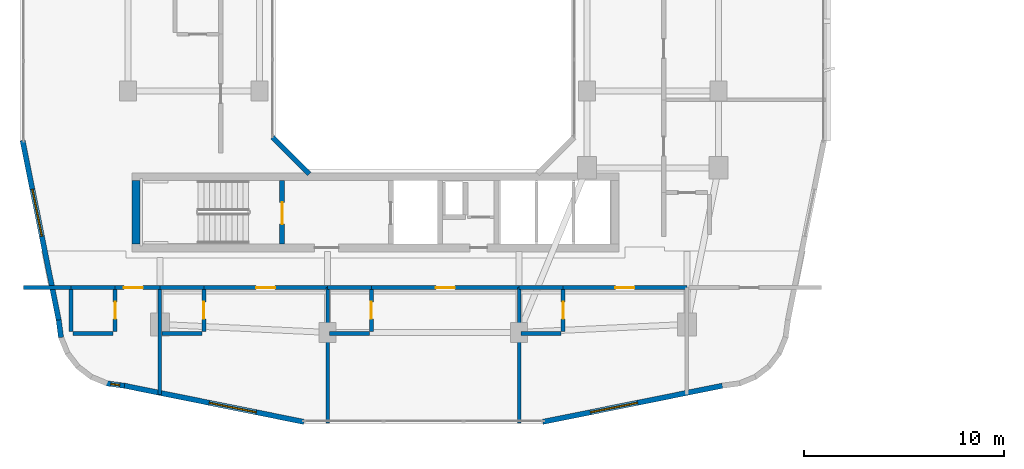
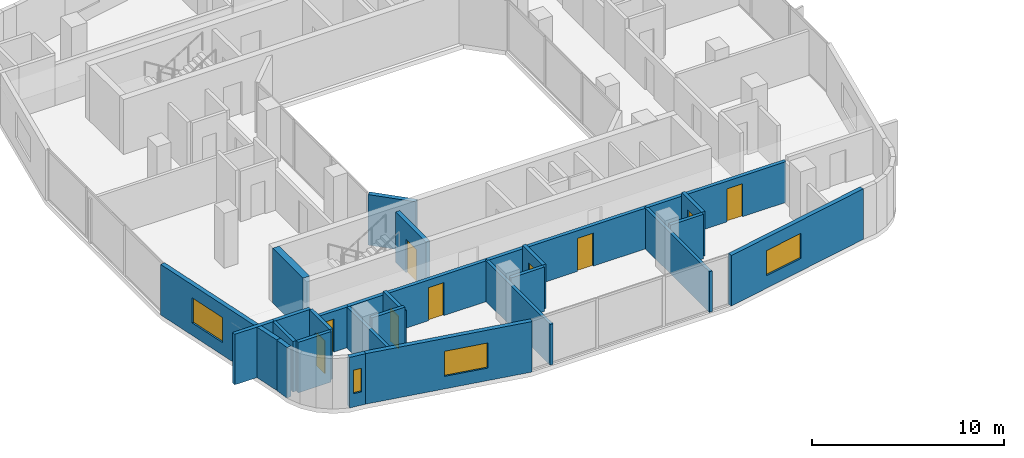
# One storey, part 12 of 26: 29 walls, 9 doors, 4 windows, 13 openings.
"""IFC4 building model written with IfcOpenShell, lengths in metres."""

from ifc_helpers import new_model, si_unit, derived_unit, direction, frame, frame_2d, origin, place, context, subcontext, project, spatial, rectangle, extrude, material, layer, layer_set, type_object, element, fill, save


model = new_model("IFC4")

# Units and contexts
model_context = context("Model", 3, precision=1e-05, world=origin(), true_north=direction((0.0, 1.0)))
body_context = subcontext(model_context, "Body", "Model", "MODEL_VIEW")
ifc_project = project(units=[si_unit("LENGTHUNIT", "METRE"), si_unit("AREAUNIT", "SQUARE_METRE"), si_unit("VOLUMEUNIT", "CUBIC_METRE"), si_unit("PLANEANGLEUNIT", "RADIAN"), si_unit("MASSUNIT", "GRAM", prefix="KILO"), derived_unit("THERMALTRANSMITTANCEUNIT", [(si_unit("POWERUNIT", "WATT"), 1), (si_unit("LENGTHUNIT", "METRE"), -2), (si_unit("THERMODYNAMICTEMPERATUREUNIT", "KELVIN"), -1)])], contexts=[model_context])

# Site, building, storey
site_placement = place(None, origin())
site = spatial("IfcSite", under=ifc_project, at=site_placement, CompositionType="ELEMENT")
building_placement = place(site_placement, origin())
building = spatial("IfcBuilding", under=site, at=building_placement, Name="Kivonza Crest Hotel", CompositionType="ELEMENT")
storey_placement = place(building_placement, frame((0.0, 0.0, 98.5)))
storey = spatial("IfcBuildingStorey", under=building, at=storey_placement, Name="L26", CompositionType="ELEMENT", Elevation=98.5)

# Walls
ifc_material_1 = material(Name="High-density acoustic masonry inter-tenancy wall", Category="masonry")
ifc_layer_1 = layer(ifc_material_1, 0.179931640625)
ifc_layer_set_1 = layer_set([ifc_layer_1], Name="High-density acoustic masonry inter-tenancy wall")
wall_type_1 = type_object("IfcWallType", Name="WL-ACOU-180", PredefinedType="SOLIDWALL", material=ifc_layer_set_1)
wall_1_placement = place(storey_placement, frame((7.800048828125, 6.299072265625, 0.0), z_axis=(0.0, 0.0, 1.0), x_axis=(0.0, 1.0, 0.0)))
element("IfcWall", 1, at=wall_1_placement, inside=storey, type_object=wall_type_1, Name="L26 interior partition WA-L26-T1S-DIV1", PredefinedType="SOLIDWALL", context=body_context, shape_type="SweptSolid", body=[
    extrude(rectangle(XDim=5.350830078125, YDim=0.179931640625, at=frame_2d((2.67529296875, 0.0))), origin(), (0.0, 0.0, 1.0), 2.594970703125),
])
for number, where, z_axis, x_axis, name in (
    (2, (16.199951171875, 4.860107421875, 0.0), (0.0, 0.0, 1.0), (0.0, 1.0, 0.0), "L26 interior partition WA-L26-T1S-DIV2"),
    (3, (25.800048828125, 4.860107421875, 0.0), (0.0, 0.0, 1.0), (0.0, 1.0, 0.0), "L26 interior partition WA-L26-T1S-DIV3"),
):
    element("IfcWall", number, at=place(storey_placement, frame(where, z_axis=z_axis, x_axis=x_axis)), inside=storey, type_object=wall_type_1, Name=name, PredefinedType="SOLIDWALL", context=body_context, shape_type="SweptSolid", body=[
        extrude(rectangle(XDim=6.789794921875, YDim=0.179931640625, at=frame_2d((3.39501953125, 0.0))), origin(), (0.0, 0.0, 1.0), 2.594970703125),
    ])
ifc_material_2 = material(Name="Autoclaved aerated concrete blockwork", Category="masonry")
ifc_layer_2 = layer(ifc_material_2, 0.219970703125)
ifc_layer_set_2 = layer_set([ifc_layer_2], Name="Autoclaved aerated concrete blockwork")
wall_type_2 = type_object("IfcWallType", Name="WL-ACOU-220", PredefinedType="SOLIDWALL", material=ifc_layer_set_2)
wall_2_placement = place(storey_placement, frame((0.9599609375, 11.64990234375, 0.0), z_axis=(0.0, 0.0, 1.0), x_axis=(1.0, 0.0, 0.0)))
element("IfcWall", 4, at=wall_2_placement, inside=storey, type_object=wall_type_2, Name="L26 interior partition WA-L26-S04-XCORR", PredefinedType="SOLIDWALL", context=body_context, shape_type="SweptSolid", body=[
    extrude(rectangle(XDim=2.39013671875, YDim=0.219970703125, at=frame_2d((1.195068359375, 0.0))), origin(), (0.0, 0.0, 1.0), 3.219970703125),
])
wall_3_placement = place(storey_placement, frame((3.35009765625, 11.64990234375, 0.0), z_axis=(0.0, 0.0, 1.0), x_axis=(1.0, 0.0, 0.0)))
element("IfcWall", 5, at=wall_3_placement, inside=storey, type_object=wall_type_2, Name="L26 interior partition WA-L26-S04-BCORR", PredefinedType="SOLIDWALL", context=body_context, shape_type="SweptSolid", body=[
    extrude(rectangle(XDim=2.199951171875, YDim=0.219970703125, at=frame_2d((1.10009765625, 0.0))), origin(), (0.0, 0.0, 1.0), 3.219970703125),
])

# Wall, opening, door
wall_4_placement = place(storey_placement, frame((5.550048828125, 11.64990234375, 0.0), z_axis=(0.0, 0.0, 1.0), x_axis=(1.0, 0.0, 0.0)))
wall_4 = element("IfcWall", 6, at=wall_4_placement, inside=storey, type_object=wall_type_2, Name="L26 interior partition WA-L26-S04-MCORR", PredefinedType="SOLIDWALL", context=body_context, shape_type="SweptSolid", body=[
    extrude(rectangle(XDim=2.25, YDim=0.219970703125, at=frame_2d((1.125, 0.0))), origin(), (0.0, 0.0, 1.0), 2.594970703125),
])
opening_1_placement = place(wall_4_placement, frame((0.43994140625, 0.0, 0.0)))
opening_1 = element("IfcOpeningElement", 7, at=opening_1_placement, cuts=wall_4, Name="Opening DU-60", PredefinedType="OPENING", context=body_context, shape_type="SweptSolid", body=[
    extrude(rectangle(XDim=0.949951171875, YDim=2.10009765625, at=frame_2d((0.47509765625, 1.050048828125))), frame((0.0, 0.1201171875, 0.0), z_axis=(0.0, -1.0, 0.0), x_axis=(1.0, 0.0, 0.0)), (0.0, 0.0, 1.0), 0.239990234375),
])
ifc_material_3 = material(Name="Hardwood timber oak", Category="wood")
door_type_1 = type_object("IfcDoorType", Name="DR-UNIT-950", OperationType="NOTDEFINED", PredefinedType="DOOR", material=ifc_material_3)
door_1_placement = place(opening_1_placement, frame((0.949951171875, 0.0, 0.0), z_axis=(0.0, 0.0, 1.0), x_axis=(-1.0, 0.0, 0.0)))
door_1 = element("IfcDoor", 8, at=door_1_placement, inside=storey, type_object=door_type_1, Name="L26 S04 guest unit entrance fire door", OperationType="SINGLE_SWING_RIGHT", OverallHeight=2.10009765625, OverallWidth=0.949951171875, PredefinedType="DOOR", context=body_context, shape_type="SweptSolid", body=[
    extrude(rectangle(XDim=0.949951171875, YDim=2.10009765625, at=frame_2d((0.47509765625, 1.050048828125))), frame((0.0, 0.02490234375, 0.0), z_axis=(0.0, -1.0, 0.0), x_axis=(1.0, 0.0, 0.0)), (0.0, 0.0, 1.0), 0.050048828125),
])
fill(opening_1, door_1)

# Wall
wall_5_placement = place(storey_placement, frame((7.800048828125, 11.64990234375, 0.0), z_axis=(0.0, 0.0, 1.0), x_axis=(1.0, 0.0, 0.0)))
element("IfcWall", 9, at=wall_5_placement, inside=storey, type_object=wall_type_2, Name="L26 interior partition WA-L26-S05-BCORR", PredefinedType="SOLIDWALL", context=body_context, shape_type="SweptSolid", body=[
    extrude(rectangle(XDim=2.199951171875, YDim=0.219970703125, at=frame_2d((1.10009765625, 0.0))), origin(), (0.0, 0.0, 1.0), 2.594970703125),
])

# Wall, opening, door
wall_6_placement = place(storey_placement, frame((10.0, 11.64990234375, 0.0), z_axis=(0.0, 0.0, 1.0), x_axis=(1.0, 0.0, 0.0)))
wall_6 = element("IfcWall", 10, at=wall_6_placement, inside=storey, type_object=wall_type_2, Name="L26 interior partition WA-L26-S05-MCORR", PredefinedType="SOLIDWALL", context=body_context, shape_type="SweptSolid", body=[
    extrude(rectangle(XDim=6.199951171875, YDim=0.219970703125, at=frame_2d((3.10009765625, 0.0))), origin(), (0.0, 0.0, 1.0), 2.594970703125),
])
opening_2_placement = place(wall_6_placement, frame((2.625, 0.0, 0.0)))
opening_2 = element("IfcOpeningElement", 11, at=opening_2_placement, cuts=wall_6, Name="Opening DU-60", PredefinedType="OPENING", context=body_context, shape_type="SweptSolid", body=[
    extrude(rectangle(XDim=0.949951171875, YDim=2.10009765625, at=frame_2d((0.47509765625, 1.050048828125))), frame((0.0, 0.1201171875, 0.0), z_axis=(0.0, -1.0, 0.0), x_axis=(1.0, 0.0, 0.0)), (0.0, 0.0, 1.0), 0.239990234375),
])
door_2_placement = place(opening_2_placement, frame((0.949951171875, 0.0, 0.0), z_axis=(0.0, 0.0, 1.0), x_axis=(-1.0, 0.0, 0.0)))
door_2 = element("IfcDoor", 12, at=door_2_placement, inside=storey, type_object=door_type_1, Name="L26 S05 guest unit entrance fire door", OperationType="SINGLE_SWING_LEFT", OverallHeight=2.10009765625, OverallWidth=0.949951171875, PredefinedType="DOOR", context=body_context, shape_type="SweptSolid", body=[
    extrude(rectangle(XDim=0.949951171875, YDim=2.10009765625, at=frame_2d((0.47509765625, 1.050048828125))), frame((0.0, 0.02490234375, 0.0), z_axis=(0.0, -1.0, 0.0), x_axis=(1.0, 0.0, 0.0)), (0.0, 0.0, 1.0), 0.050048828125),
])
fill(opening_2, door_2)

# Wall
wall_7_placement = place(storey_placement, frame((16.199951171875, 11.64990234375, 0.0), z_axis=(0.0, 0.0, 1.0), x_axis=(1.0, 0.0, 0.0)))
element("IfcWall", 13, at=wall_7_placement, inside=storey, type_object=wall_type_2, Name="L26 interior partition WA-L26-S06-BCORR", PredefinedType="SOLIDWALL", context=body_context, shape_type="SweptSolid", body=[
    extrude(rectangle(XDim=2.199951171875, YDim=0.219970703125, at=frame_2d((1.10009765625, 0.0))), origin(), (0.0, 0.0, 1.0), 2.594970703125),
])

# Wall, opening, door
wall_8_placement = place(storey_placement, frame((18.39990234375, 11.64990234375, 0.0), z_axis=(0.0, 0.0, 1.0), x_axis=(1.0, 0.0, 0.0)))
wall_8 = element("IfcWall", 14, at=wall_8_placement, inside=storey, type_object=wall_type_2, Name="L26 interior partition WA-L26-S06-MCORR", PredefinedType="SOLIDWALL", context=body_context, shape_type="SweptSolid", body=[
    extrude(rectangle(XDim=7.400146484375, YDim=0.219970703125, at=frame_2d((3.7001953125, 0.0))), origin(), (0.0, 0.0, 1.0), 2.594970703125),
])
opening_3_placement = place(wall_8_placement, frame((3.22509765625, 0.0, 0.0)))
opening_3 = element("IfcOpeningElement", 15, at=opening_3_placement, cuts=wall_8, Name="Opening DU-60", PredefinedType="OPENING", context=body_context, shape_type="SweptSolid", body=[
    extrude(rectangle(XDim=0.949951171875, YDim=2.10009765625, at=frame_2d((0.47509765625, 1.050048828125))), frame((0.0, 0.1201171875, 0.0), z_axis=(0.0, -1.0, 0.0), x_axis=(1.0, 0.0, 0.0)), (0.0, 0.0, 1.0), 0.239990234375),
])
door_3_placement = place(opening_3_placement, frame((0.949951171875, 0.0, 0.0), z_axis=(0.0, 0.0, 1.0), x_axis=(-1.0, 0.0, 0.0)))
door_3 = element("IfcDoor", 16, at=door_3_placement, inside=storey, type_object=door_type_1, Name="L26 S06 guest unit entrance fire door", OperationType="SINGLE_SWING_RIGHT", OverallHeight=2.10009765625, OverallWidth=0.949951171875, PredefinedType="DOOR", context=body_context, shape_type="SweptSolid", body=[
    extrude(rectangle(XDim=0.949951171875, YDim=2.10009765625, at=frame_2d((0.47509765625, 1.050048828125))), frame((0.0, 0.02490234375, 0.0), z_axis=(0.0, -1.0, 0.0), x_axis=(1.0, 0.0, 0.0)), (0.0, 0.0, 1.0), 0.050048828125),
])
fill(opening_3, door_3)

# Wall
wall_9_placement = place(storey_placement, frame((25.800048828125, 11.64990234375, 0.0), z_axis=(0.0, 0.0, 1.0), x_axis=(1.0, 0.0, 0.0)))
element("IfcWall", 17, at=wall_9_placement, inside=storey, type_object=wall_type_2, Name="L26 interior partition WA-L26-S07-BCORR", PredefinedType="SOLIDWALL", context=body_context, shape_type="SweptSolid", body=[
    extrude(rectangle(XDim=2.199951171875, YDim=0.219970703125, at=frame_2d((1.10009765625, 0.0))), origin(), (0.0, 0.0, 1.0), 2.594970703125),
])

# Wall, opening, door
wall_10_placement = place(storey_placement, frame((28.0, 11.64990234375, 0.0), z_axis=(0.0, 0.0, 1.0), x_axis=(1.0, 0.0, 0.0)))
wall_10 = element("IfcWall", 18, at=wall_10_placement, inside=storey, type_object=wall_type_2, Name="L26 interior partition WA-L26-S07-MCORR", PredefinedType="SOLIDWALL", context=body_context, shape_type="SweptSolid", body=[
    extrude(rectangle(XDim=6.199951171875, YDim=0.219970703125, at=frame_2d((3.10009765625, 0.0))), origin(), (0.0, 0.0, 1.0), 2.594970703125),
])
opening_4_placement = place(wall_10_placement, frame((2.625, 0.0, 0.0)))
opening_4 = element("IfcOpeningElement", 19, at=opening_4_placement, cuts=wall_10, Name="Opening DU-60", PredefinedType="OPENING", context=body_context, shape_type="SweptSolid", body=[
    extrude(rectangle(XDim=0.949951171875, YDim=2.10009765625, at=frame_2d((0.47509765625, 1.050048828125))), frame((0.0, 0.1201171875, 0.0), z_axis=(0.0, -1.0, 0.0), x_axis=(1.0, 0.0, 0.0)), (0.0, 0.0, 1.0), 0.239990234375),
])
door_4_placement = place(opening_4_placement, frame((0.949951171875, 0.0, 0.0), z_axis=(0.0, 0.0, 1.0), x_axis=(-1.0, 0.0, 0.0)))
door_4 = element("IfcDoor", 20, at=door_4_placement, inside=storey, type_object=door_type_1, Name="L26 S07 guest unit entrance fire door", OperationType="SINGLE_SWING_LEFT", OverallHeight=2.10009765625, OverallWidth=0.949951171875, PredefinedType="DOOR", context=body_context, shape_type="SweptSolid", body=[
    extrude(rectangle(XDim=0.949951171875, YDim=2.10009765625, at=frame_2d((0.47509765625, 1.050048828125))), frame((0.0, 0.02490234375, 0.0), z_axis=(0.0, -1.0, 0.0), x_axis=(1.0, 0.0, 0.0)), (0.0, 0.0, 1.0), 0.050048828125),
])
fill(opening_4, door_4)

# Walls
ifc_material_4 = material(Name="Concrete C50/60", Category="concrete")
ifc_layer_3 = layer(ifc_material_4, 0.39990234375)
ifc_layer_set_3 = layer_set([ifc_layer_3], Name="Concrete C50/60")
wall_type_3 = type_object("IfcWallType", Name="WL-CORE-400", PredefinedType="SHEAR", material=ifc_layer_set_3)
wall_11_placement = place(storey_placement, frame((6.60009765625, 13.840087890625, 0.0), z_axis=(0.0, 0.0, 1.0), x_axis=(0.0, 1.0, 0.0)))
element("IfcWall", 21, at=wall_11_placement, inside=storey, type_object=wall_type_3, Name="Core wall T1-S West L26", PredefinedType="SHEAR", context=body_context, shape_type="SweptSolid", body=[
    extrude(rectangle(XDim=3.159912109375, YDim=0.39990234375, at=frame_2d((1.580078125, 0.0))), origin(), (0.0, 0.0, 1.0), 3.5),
])
ifc_material_5 = material(Name="Precast concrete C40/50", Category="concrete")
ifc_layer_4 = layer(ifc_material_5, 0.260009765625)
ifc_layer_set_4 = layer_set([ifc_layer_4], Name="Precast concrete C40/50")
wall_type_4 = type_object("IfcWallType", Name="WL-EXT-260", PredefinedType="STANDARD", material=ifc_layer_set_4)
wall_12_placement = place(storey_placement, frame((2.72802734375, 10.02490234375, 0.0), z_axis=(0.0, 0.0, 1.0), x_axis=(0.130953706898, -0.991388484223, 0.0)))
element("IfcWall", 22, at=wall_12_placement, inside=storey, type_object=wall_type_4, Name="L26 T1 exterior insulated wall 1", PredefinedType="STANDARD", context=body_context, shape_type="SweptSolid", body=[
    extrude(rectangle(XDim=0.885498046875, YDim=0.260009765625, at=frame_2d((0.44287109375, 0.0))), origin(), (0.0, 0.0, 1.0), 3.219970703125),
])

# Wall, opening, window
wall_13_placement = place(storey_placement, frame((5.112060546875, 6.847900390625, 0.0), z_axis=(0.0, 0.0, 1.0), x_axis=(0.991487658083, -0.130200706103, 0.0)))
wall_13 = element("IfcWall", 23, at=wall_13_placement, inside=storey, type_object=wall_type_4, Name="L26 T1 exterior insulated wall 6", PredefinedType="STANDARD", context=body_context, shape_type="SweptSolid", body=[
    extrude(rectangle(XDim=0.920654296875, YDim=0.260009765625, at=frame_2d((0.46044921875, 0.0))), origin(), (0.0, 0.0, 1.0), 3.219970703125),
])
opening_5_placement = place(wall_13_placement, frame((0.235107421875, 0.0, 0.85009765625)))
opening_5 = element("IfcOpeningElement", 24, at=opening_5_placement, cuts=wall_13, Name="Opening WN-11", PredefinedType="OPENING", context=body_context, shape_type="SweptSolid", body=[
    extrude(rectangle(XDim=0.449951171875, YDim=1.5, at=frame_2d((0.22509765625, 0.75))), frame((0.0, 0.14013671875, 0.0), z_axis=(0.0, -1.0, 0.0), x_axis=(1.0, 0.0, 0.0)), (0.0, 0.0, 1.0), 0.280029296875),
])
ifc_material_6 = material(Name="Thermally broken bronze aluminium and low-E double glazing", Category="aluminium")
window_type_1 = type_object("IfcWindowType", Name="WN-045x150", PartitioningType="SINGLE_PANEL", PredefinedType="WINDOW", material=ifc_material_6)
window_1_placement = place(opening_5_placement, origin())
window_1 = element("IfcWindow", 25, at=window_1_placement, inside=storey, type_object=window_type_1, Name="L26 corner vision window 2", OverallHeight=1.5, OverallWidth=0.449951171875, PartitioningType="SINGLE_PANEL", PredefinedType="WINDOW", context=body_context, shape_type="SweptSolid", body=[
    extrude(rectangle(XDim=0.449951171875, YDim=1.5, at=frame_2d((0.22509765625, 0.75))), frame((0.0, 0.030029296875, 0.0), z_axis=(0.0, -1.0, 0.0), x_axis=(1.0, 0.0, 0.0)), (0.0, 0.0, 1.0), 0.06005859375),
])
fill(opening_5, window_1)

wall_14_placement = place(storey_placement, frame((6.01806640625, 6.72900390625, 0.0), z_axis=(0.0, 0.0, 1.0), x_axis=(0.980315963543, -0.197435082048, 0.0)))
wall_14 = element("IfcWall", 26, at=wall_14_placement, inside=storey, type_object=wall_type_4, Name="L26 T1 exterior insulated wall 7", PredefinedType="STANDARD", context=body_context, shape_type="SweptSolid", body=[
    extrude(rectangle(XDim=9.1826171875, YDim=0.260009765625, at=frame_2d((4.59130859375, 0.0))), origin(), (0.0, 0.0, 1.0), 3.219970703125),
])
opening_6_placement = place(wall_14_placement, frame((4.3369140625, 0.0, 0.800048828125)))
opening_6 = element("IfcOpeningElement", 27, at=opening_6_placement, cuts=wall_14, Name="Opening WN-05", PredefinedType="OPENING", context=body_context, shape_type="SweptSolid", body=[
    extrude(rectangle(XDim=2.39990234375, YDim=1.60009765625, at=frame_2d((1.199951171875, 0.800048828125))), frame((0.0, 0.14013671875, 0.0), z_axis=(0.0, -1.0, 0.0), x_axis=(1.0, 0.0, 0.0)), (0.0, 0.0, 1.0), 0.280029296875),
])
window_type_2 = type_object("IfcWindowType", Name="WN-240x160", PartitioningType="TRIPLE_PANEL_VERTICAL", PredefinedType="WINDOW", material=ifc_material_6)
window_2_placement = place(opening_6_placement, origin())
window_2 = element("IfcWindow", 28, at=window_2_placement, inside=storey, type_object=window_type_2, Name="L26 T1 facade window 7", OverallHeight=1.60009765625, OverallWidth=2.39990234375, PartitioningType="SINGLE_PANEL", PredefinedType="WINDOW", context=body_context, shape_type="SweptSolid", body=[
    extrude(rectangle(XDim=2.39990234375, YDim=1.60009765625, at=frame_2d((1.199951171875, 0.800048828125))), frame((0.0, 0.030029296875, 0.0), z_axis=(0.0, -1.0, 0.0), x_axis=(1.0, 0.0, 0.0)), (0.0, 0.0, 1.0), 0.06005859375),
])
fill(opening_6, window_2)

wall_15_placement = place(storey_placement, frame((26.97998046875, 4.916015625, 0.0), z_axis=(0.0, 0.0, 1.0), x_axis=(0.980315963543, 0.197435082048, 0.0)))
wall_15 = element("IfcWall", 29, at=wall_15_placement, inside=storey, type_object=wall_type_4, Name="L26 T1 exterior insulated wall 9", PredefinedType="STANDARD", context=body_context, shape_type="SweptSolid", body=[
    extrude(rectangle(XDim=9.1826171875, YDim=0.260009765625, at=frame_2d((4.59130859375, 0.0))), origin(), (0.0, 0.0, 1.0), 3.219970703125),
])
opening_7_placement = place(wall_15_placement, frame((2.445068359375, 0.0, 0.800048828125)))
opening_7 = element("IfcOpeningElement", 30, at=opening_7_placement, cuts=wall_15, Name="Opening WN-05", PredefinedType="OPENING", context=body_context, shape_type="SweptSolid", body=[
    extrude(rectangle(XDim=2.39990234375, YDim=1.60009765625, at=frame_2d((1.199951171875, 0.800048828125))), frame((0.0, 0.14013671875, 0.0), z_axis=(0.0, -1.0, 0.0), x_axis=(1.0, 0.0, 0.0)), (0.0, 0.0, 1.0), 0.280029296875),
])
window_3_placement = place(opening_7_placement, origin())
window_3 = element("IfcWindow", 31, at=window_3_placement, inside=storey, type_object=window_type_2, Name="L26 T1 facade window 9", OverallHeight=1.60009765625, OverallWidth=2.39990234375, PartitioningType="SINGLE_PANEL", PredefinedType="WINDOW", context=body_context, shape_type="SweptSolid", body=[
    extrude(rectangle(XDim=2.39990234375, YDim=1.60009765625, at=frame_2d((1.199951171875, 0.800048828125))), frame((0.0, 0.030029296875, 0.0), z_axis=(0.0, -1.0, 0.0), x_axis=(1.0, 0.0, 0.0)), (0.0, 0.0, 1.0), 0.06005859375),
])
fill(opening_7, window_3)

wall_16_placement = place(storey_placement, frame((0.916015625, 19.02001953125, 0.0), z_axis=(0.0, 0.0, 1.0), x_axis=(0.197435082048, -0.980315963543, 0.0)))
wall_16 = element("IfcWall", 32, at=wall_16_placement, inside=storey, type_object=wall_type_4, Name="L26 T1 exterior insulated wall 36", PredefinedType="STANDARD", context=body_context, shape_type="SweptSolid", body=[
    extrude(rectangle(XDim=9.1826171875, YDim=0.260009765625, at=frame_2d((4.59130859375, 0.0))), origin(), (0.0, 0.0, 1.0), 3.219970703125),
])
opening_8_placement = place(wall_16_placement, frame((2.4970703125, 0.0, 0.800048828125)))
opening_8 = element("IfcOpeningElement", 33, at=opening_8_placement, cuts=wall_16, Name="Opening WN-05", PredefinedType="OPENING", context=body_context, shape_type="SweptSolid", body=[
    extrude(rectangle(XDim=2.39990234375, YDim=1.60009765625, at=frame_2d((1.199951171875, 0.800048828125))), frame((0.0, 0.14013671875, 0.0), z_axis=(0.0, -1.0, 0.0), x_axis=(1.0, 0.0, 0.0)), (0.0, 0.0, 1.0), 0.280029296875),
])
window_4_placement = place(opening_8_placement, origin())
window_4 = element("IfcWindow", 34, at=window_4_placement, inside=storey, type_object=window_type_2, Name="L26 T1 facade window 36", OverallHeight=1.60009765625, OverallWidth=2.39990234375, PartitioningType="SINGLE_PANEL", PredefinedType="WINDOW", context=body_context, shape_type="SweptSolid", body=[
    extrude(rectangle(XDim=2.39990234375, YDim=1.60009765625, at=frame_2d((1.199951171875, 0.800048828125))), frame((0.0, 0.030029296875, 0.0), z_axis=(0.0, -1.0, 0.0), x_axis=(1.0, 0.0, 0.0)), (0.0, 0.0, 1.0), 0.06005859375),
])
fill(opening_8, window_4)

# Wall
wall_17_placement = place(storey_placement, frame((13.444091796875, 19.172119140625, 0.0), z_axis=(0.0, 0.0, 1.0), x_axis=(0.707059717605, -0.707153841636, 0.0)))
element("IfcWall", 35, at=wall_17_placement, inside=storey, type_object=wall_type_4, Name="L26 T1 light-well exterior wall 8", PredefinedType="STANDARD", context=body_context, shape_type="SweptSolid", body=[
    extrude(rectangle(XDim=2.59375, YDim=0.260009765625, at=frame_2d((1.296875, 0.0))), origin(), (0.0, 0.0, 1.0), 3.219970703125),
])

# Wall, opening, door
ifc_material_7 = material(Name="Moisture-resistant plumbing chase partition wall", Category="gypsum")
ifc_layer_5 = layer(ifc_material_7, 0.199951171875)
ifc_layer_set_5 = layer_set([ifc_layer_5], Name="Moisture-resistant plumbing chase partition wall")
wall_type_5 = type_object("IfcWallType", Name="WL-PLUMB-200", PredefinedType="PLUMBINGWALL", material=ifc_layer_set_5)
wall_18_placement = place(storey_placement, frame((5.550048828125, 9.449951171875, 0.0), z_axis=(0.0, 0.0, 1.0), x_axis=(0.0, 1.0, 0.0)))
wall_18 = element("IfcWall", 36, at=wall_18_placement, inside=storey, type_object=wall_type_5, Name="L26 interior partition WW-L26-S04-BV", PredefinedType="PLUMBINGWALL", context=body_context, shape_type="SweptSolid", body=[
    extrude(rectangle(XDim=2.10009765625, YDim=0.199951171875, at=frame_2d((1.050048828125, 0.0))), origin(), (0.0, 0.0, 1.0), 3.219970703125),
])
opening_9_placement = place(wall_18_placement, frame((0.625, 0.0, 0.0)))
opening_9 = element("IfcOpeningElement", 37, at=opening_9_placement, cuts=wall_18, Name="Opening DI-85", PredefinedType="OPENING", context=body_context, shape_type="SweptSolid", body=[
    extrude(rectangle(XDim=0.85009765625, YDim=2.10009765625, at=frame_2d((0.425048828125, 1.050048828125))), frame((0.0, 0.10986328125, 0.0), z_axis=(0.0, -1.0, 0.0), x_axis=(1.0, 0.0, 0.0)), (0.0, 0.0, 1.0), 0.219970703125),
])
door_type_2 = type_object("IfcDoorType", Name="DR-INT-850", OperationType="NOTDEFINED", PredefinedType="DOOR", material=ifc_material_3)
door_5_placement = place(opening_9_placement, frame((0.85009765625, 0.0, 0.0), z_axis=(0.0, 0.0, 1.0), x_axis=(-1.0, 0.0, 0.0)))
door_5 = element("IfcDoor", 38, at=door_5_placement, inside=storey, type_object=door_type_2, Name="L26 S04 en-suite bathroom door", OperationType="SINGLE_SWING_LEFT", OverallHeight=2.10009765625, OverallWidth=0.85009765625, PredefinedType="DOOR", context=body_context, shape_type="SweptSolid", body=[
    extrude(rectangle(XDim=0.85009765625, YDim=2.10009765625, at=frame_2d((0.425048828125, 1.050048828125))), frame((0.0, 0.02490234375, 0.0), z_axis=(0.0, -1.0, 0.0), x_axis=(1.0, 0.0, 0.0)), (0.0, 0.0, 1.0), 0.050048828125),
])
fill(opening_9, door_5)

# Walls
wall_19_placement = place(storey_placement, frame((3.449951171875, 9.35009765625, 0.0), z_axis=(0.0, 0.0, 1.0), x_axis=(1.0, 0.0, 0.0)))
element("IfcWall", 39, at=wall_19_placement, inside=storey, type_object=wall_type_5, Name="L26 interior partition WW-L26-S04-BH", PredefinedType="PLUMBINGWALL", context=body_context, shape_type="SweptSolid", body=[
    extrude(rectangle(XDim=2.0, YDim=0.199951171875, at=frame_2d((1.0, 0.0))), origin(), (0.0, 0.0, 1.0), 3.219970703125),
])
wall_20_placement = place(storey_placement, frame((3.35009765625, 9.449951171875, 0.0), z_axis=(0.0, 0.0, 1.0), x_axis=(0.0, 1.0, 0.0)))
element("IfcWall", 40, at=wall_20_placement, inside=storey, type_object=wall_type_5, Name="L26 interior partition WW-L26-S04-BVW", PredefinedType="PLUMBINGWALL", context=body_context, shape_type="SweptSolid", body=[
    extrude(rectangle(XDim=2.10009765625, YDim=0.199951171875, at=frame_2d((1.050048828125, 0.0))), origin(), (0.0, 0.0, 1.0), 3.219970703125),
])

# Wall, opening, door
wall_21_placement = place(storey_placement, frame((10.0, 9.449951171875, 0.0), z_axis=(0.0, 0.0, 1.0), x_axis=(0.0, 1.0, 0.0)))
wall_21 = element("IfcWall", 41, at=wall_21_placement, inside=storey, type_object=wall_type_5, Name="L26 interior partition WW-L26-S05-BV", PredefinedType="PLUMBINGWALL", context=body_context, shape_type="SweptSolid", body=[
    extrude(rectangle(XDim=2.10009765625, YDim=0.199951171875, at=frame_2d((1.050048828125, 0.0))), origin(), (0.0, 0.0, 1.0), 2.8349609375),
])
opening_10_placement = place(wall_21_placement, frame((0.625, 0.0, 0.0)))
opening_10 = element("IfcOpeningElement", 42, at=opening_10_placement, cuts=wall_21, Name="Opening DI-85", PredefinedType="OPENING", context=body_context, shape_type="SweptSolid", body=[
    extrude(rectangle(XDim=0.85009765625, YDim=2.10009765625, at=frame_2d((0.425048828125, 1.050048828125))), frame((0.0, 0.10986328125, 0.0), z_axis=(0.0, -1.0, 0.0), x_axis=(1.0, 0.0, 0.0)), (0.0, 0.0, 1.0), 0.219970703125),
])
door_6_placement = place(opening_10_placement, frame((0.85009765625, 0.0, 0.0), z_axis=(0.0, 0.0, 1.0), x_axis=(-1.0, 0.0, 0.0)))
door_6 = element("IfcDoor", 43, at=door_6_placement, inside=storey, type_object=door_type_2, Name="L26 S05 en-suite bathroom door", OperationType="SINGLE_SWING_RIGHT", OverallHeight=2.10009765625, OverallWidth=0.85009765625, PredefinedType="DOOR", context=body_context, shape_type="SweptSolid", body=[
    extrude(rectangle(XDim=0.85009765625, YDim=2.10009765625, at=frame_2d((0.425048828125, 1.050048828125))), frame((0.0, 0.02490234375, 0.0), z_axis=(0.0, -1.0, 0.0), x_axis=(1.0, 0.0, 0.0)), (0.0, 0.0, 1.0), 0.050048828125),
])
fill(opening_10, door_6)

# Wall
wall_22_placement = place(storey_placement, frame((7.89990234375, 9.35009765625, 0.0), z_axis=(0.0, 0.0, 1.0), x_axis=(1.0, 0.0, 0.0)))
element("IfcWall", 44, at=wall_22_placement, inside=storey, type_object=wall_type_5, Name="L26 interior partition WW-L26-S05-BH", PredefinedType="PLUMBINGWALL", context=body_context, shape_type="SweptSolid", body=[
    extrude(rectangle(XDim=2.0, YDim=0.199951171875, at=frame_2d((1.0, 0.0))), origin(), (0.0, 0.0, 1.0), 3.219970703125),
])

# Wall, opening, door
wall_23_placement = place(storey_placement, frame((18.39990234375, 9.449951171875, 0.0), z_axis=(0.0, 0.0, 1.0), x_axis=(0.0, 1.0, 0.0)))
wall_23 = element("IfcWall", 45, at=wall_23_placement, inside=storey, type_object=wall_type_5, Name="L26 interior partition WW-L26-S06-BV", PredefinedType="PLUMBINGWALL", context=body_context, shape_type="SweptSolid", body=[
    extrude(rectangle(XDim=2.10009765625, YDim=0.199951171875, at=frame_2d((1.050048828125, 0.0))), origin(), (0.0, 0.0, 1.0), 2.8349609375),
])
opening_11_placement = place(wall_23_placement, frame((0.625, 0.0, 0.0)))
opening_11 = element("IfcOpeningElement", 46, at=opening_11_placement, cuts=wall_23, Name="Opening DI-85", PredefinedType="OPENING", context=body_context, shape_type="SweptSolid", body=[
    extrude(rectangle(XDim=0.85009765625, YDim=2.10009765625, at=frame_2d((0.425048828125, 1.050048828125))), frame((0.0, 0.10986328125, 0.0), z_axis=(0.0, -1.0, 0.0), x_axis=(1.0, 0.0, 0.0)), (0.0, 0.0, 1.0), 0.219970703125),
])
door_7_placement = place(opening_11_placement, frame((0.85009765625, 0.0, 0.0), z_axis=(0.0, 0.0, 1.0), x_axis=(-1.0, 0.0, 0.0)))
door_7 = element("IfcDoor", 47, at=door_7_placement, inside=storey, type_object=door_type_2, Name="L26 S06 en-suite bathroom door", OperationType="SINGLE_SWING_LEFT", OverallHeight=2.10009765625, OverallWidth=0.85009765625, PredefinedType="DOOR", context=body_context, shape_type="SweptSolid", body=[
    extrude(rectangle(XDim=0.85009765625, YDim=2.10009765625, at=frame_2d((0.425048828125, 1.050048828125))), frame((0.0, 0.02490234375, 0.0), z_axis=(0.0, -1.0, 0.0), x_axis=(1.0, 0.0, 0.0)), (0.0, 0.0, 1.0), 0.050048828125),
])
fill(opening_11, door_7)

# Wall
wall_24_placement = place(storey_placement, frame((16.300048828125, 9.35009765625, 0.0), z_axis=(0.0, 0.0, 1.0), x_axis=(1.0, 0.0, 0.0)))
element("IfcWall", 48, at=wall_24_placement, inside=storey, type_object=wall_type_5, Name="L26 interior partition WW-L26-S06-BH", PredefinedType="PLUMBINGWALL", context=body_context, shape_type="SweptSolid", body=[
    extrude(rectangle(XDim=2.0, YDim=0.199951171875, at=frame_2d((1.0, 0.0))), origin(), (0.0, 0.0, 1.0), 2.8349609375),
])

# Wall, opening, door
wall_25_placement = place(storey_placement, frame((28.0, 9.449951171875, 0.0), z_axis=(0.0, 0.0, 1.0), x_axis=(0.0, 1.0, 0.0)))
wall_25 = element("IfcWall", 49, at=wall_25_placement, inside=storey, type_object=wall_type_5, Name="L26 interior partition WW-L26-S07-BV", PredefinedType="PLUMBINGWALL", context=body_context, shape_type="SweptSolid", body=[
    extrude(rectangle(XDim=2.10009765625, YDim=0.199951171875, at=frame_2d((1.050048828125, 0.0))), origin(), (0.0, 0.0, 1.0), 2.8349609375),
])
opening_12_placement = place(wall_25_placement, frame((0.625, 0.0, 0.0)))
opening_12 = element("IfcOpeningElement", 50, at=opening_12_placement, cuts=wall_25, Name="Opening DI-85", PredefinedType="OPENING", context=body_context, shape_type="SweptSolid", body=[
    extrude(rectangle(XDim=0.85009765625, YDim=2.10009765625, at=frame_2d((0.425048828125, 1.050048828125))), frame((0.0, 0.10986328125, 0.0), z_axis=(0.0, -1.0, 0.0), x_axis=(1.0, 0.0, 0.0)), (0.0, 0.0, 1.0), 0.219970703125),
])
door_8_placement = place(opening_12_placement, frame((0.85009765625, 0.0, 0.0), z_axis=(0.0, 0.0, 1.0), x_axis=(-1.0, 0.0, 0.0)))
door_8 = element("IfcDoor", 51, at=door_8_placement, inside=storey, type_object=door_type_2, Name="L26 S07 en-suite bathroom door", OperationType="SINGLE_SWING_RIGHT", OverallHeight=2.10009765625, OverallWidth=0.85009765625, PredefinedType="DOOR", context=body_context, shape_type="SweptSolid", body=[
    extrude(rectangle(XDim=0.85009765625, YDim=2.10009765625, at=frame_2d((0.425048828125, 1.050048828125))), frame((0.0, 0.02490234375, 0.0), z_axis=(0.0, -1.0, 0.0), x_axis=(1.0, 0.0, 0.0)), (0.0, 0.0, 1.0), 0.050048828125),
])
fill(opening_12, door_8)

# Wall
wall_26_placement = place(storey_placement, frame((25.89990234375, 9.35009765625, 0.0), z_axis=(0.0, 0.0, 1.0), x_axis=(1.0, 0.0, 0.0)))
element("IfcWall", 52, at=wall_26_placement, inside=storey, type_object=wall_type_5, Name="L26 interior partition WW-L26-S07-BH", PredefinedType="PLUMBINGWALL", context=body_context, shape_type="SweptSolid", body=[
    extrude(rectangle(XDim=2.0, YDim=0.199951171875, at=frame_2d((1.0, 0.0))), origin(), (0.0, 0.0, 1.0), 2.8349609375),
])

# Wall, opening, door
ifc_layer_6 = layer(ifc_material_4, 0.25)
ifc_layer_set_6 = layer_set([ifc_layer_6], Name="Concrete C50/60")
wall_type_6 = type_object("IfcWallType", Name="WL-SHAFT-250", PredefinedType="STANDARD", material=ifc_layer_set_6)
wall_27_placement = place(storey_placement, frame((13.925048828125, 13.840087890625, 0.0), z_axis=(0.0, 0.0, 1.0), x_axis=(0.0, 1.0, 0.0)))
wall_27 = element("IfcWall", 53, at=wall_27_placement, inside=storey, type_object=wall_type_6, Name="Core shaft wall T1-S STAIR L26", PredefinedType="STANDARD", context=body_context, shape_type="SweptSolid", body=[
    extrude(rectangle(XDim=3.159912109375, YDim=0.25, at=frame_2d((1.580078125, 0.0))), origin(), (0.0, 0.0, 1.0), 3.219970703125),
])
opening_13_placement = place(wall_27_placement, frame((0.97998046875, 0.0, 0.0)))
opening_13 = element("IfcOpeningElement", 54, at=opening_13_placement, cuts=wall_27, Name="Opening DF-120", PredefinedType="OPENING", context=body_context, shape_type="SweptSolid", body=[
    extrude(rectangle(XDim=1.10009765625, YDim=2.14990234375, at=frame_2d((0.550048828125, 1.074951171875))), frame((0.0, 0.135009765625, 0.0), z_axis=(0.0, -1.0, 0.0), x_axis=(1.0, 0.0, 0.0)), (0.0, 0.0, 1.0), 0.27001953125),
])
ifc_material_8 = material(Name="Galvanised steel", Category="steel")
door_type_3 = type_object("IfcDoorType", Name="DR-FD120-1100", OperationType="NOTDEFINED", PredefinedType="DOOR", material=ifc_material_8)
door_9_placement = place(opening_13_placement, frame((1.10009765625, 0.0, 0.0), z_axis=(0.0, 0.0, 1.0), x_axis=(-1.0, 0.0, 0.0)))
door_9 = element("IfcDoor", 55, at=door_9_placement, inside=storey, type_object=door_type_3, Name="L26 T1-S stair fire door", OperationType="SINGLE_SWING_RIGHT", OverallHeight=2.14990234375, OverallWidth=1.10009765625, PredefinedType="DOOR", context=body_context, shape_type="SweptSolid", body=[
    extrude(rectangle(XDim=1.10009765625, YDim=2.14990234375, at=frame_2d((0.550048828125, 1.074951171875))), frame((0.0, 0.02490234375, 0.0), z_axis=(0.0, -1.0, 0.0), x_axis=(1.0, 0.0, 0.0)), (0.0, 0.0, 1.0), 0.050048828125),
])
fill(opening_13, door_9)

save(model, "model.ifc")
